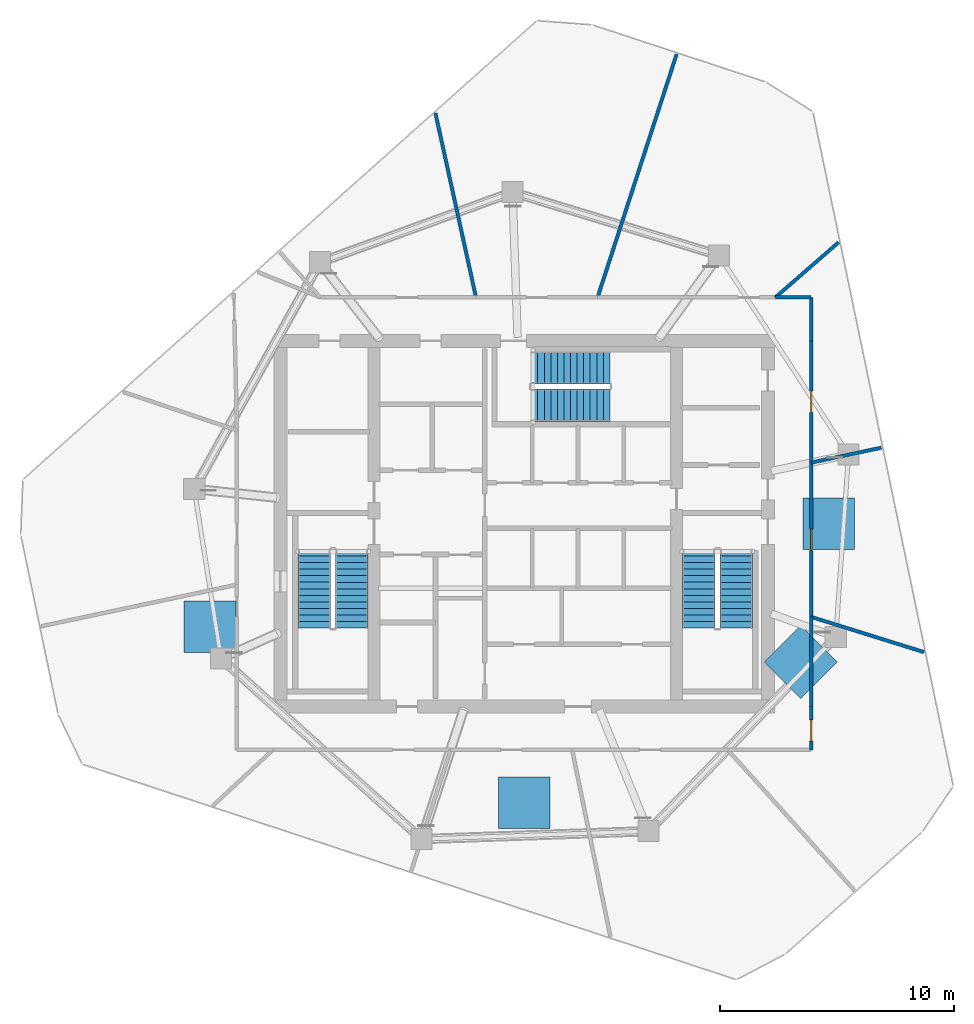
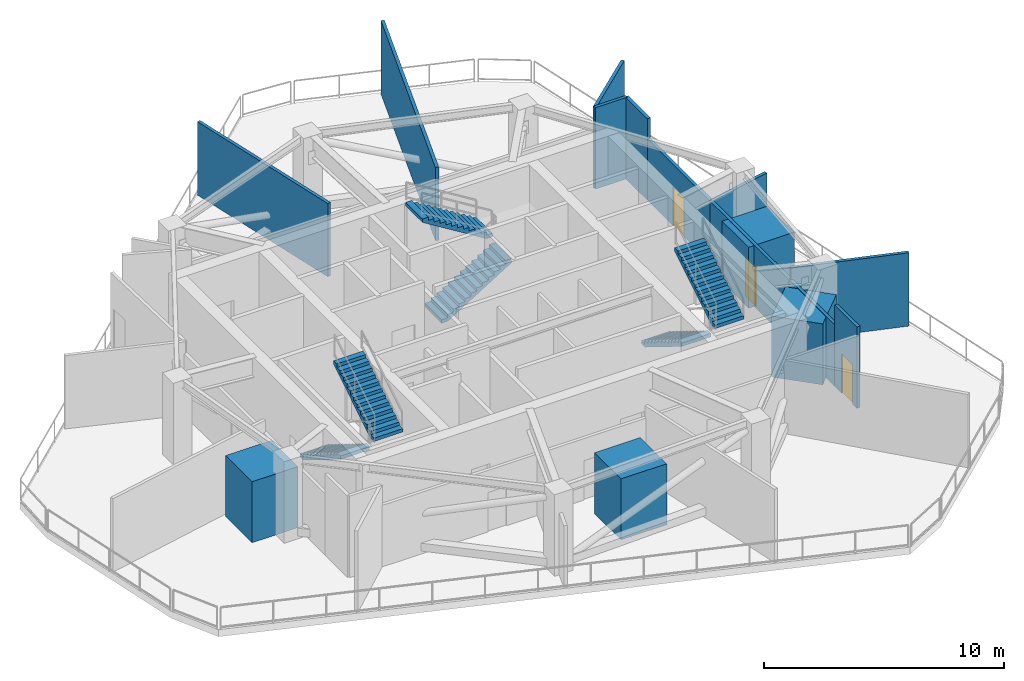
# One storey, part 4 of 6: 11 walls, 6 stair flights, 4 discrete accessories, 3 doors, 3 openings, 3 elements without a shape of their own.
"""IFC4 building model written with IfcOpenShell, lengths in metres."""

from ifc_helpers import new_model, si_unit, direction, frame, frame_2d, origin, origin_2d, place, context, subcontext, project, spatial, polyline, rectangle, outline, extrude, material, layer, layer_set, type_object, element, fill, aggregate, save


model = new_model("IFC4")

# Units and contexts
model_context = context("Model", 3, precision=1e-05, world=origin(), true_north=direction((0.0, 1.0)))
body_context = subcontext(model_context, "Body", "Model", "MODEL_VIEW")
ifc_project = project(units=[si_unit("LENGTHUNIT", "METRE"), si_unit("AREAUNIT", "SQUARE_METRE"), si_unit("VOLUMEUNIT", "CUBIC_METRE"), si_unit("PLANEANGLEUNIT", "RADIAN"), si_unit("MASSUNIT", "GRAM", prefix="KILO")], contexts=[model_context])

# Site, building, storey
site_placement = place(None, origin())
site = spatial("IfcSite", under=ifc_project, at=site_placement, CompositionType="ELEMENT")
building_placement = place(site_placement, origin())
building = spatial("IfcBuilding", under=site, at=building_placement, Name="Qarnah Convention Tower", CompositionType="ELEMENT")
storey_placement = place(building_placement, frame((0.0, 0.0, 223.800048828125)))
storey = spatial("IfcBuildingStorey", under=building, at=storey_placement, Name="L60", CompositionType="ELEMENT", Elevation=223.800048828125)

# Walls
ifc_material_1 = material(Name="Gypsum partition board")
ifc_layer = layer(ifc_material_1, 0.14990234375)
ifc_layer_set = layer_set([ifc_layer], Name="Gypsum partition board")
wall_type = type_object("IfcWallType", Name="WL-SUITE-150", PredefinedType="PARTITIONING", material=ifc_layer_set)
wall_1_placement = place(storey_placement, frame((43.7060546875, 46.423095703125, 0.0), z_axis=(0.0, 0.0, 1.0), x_axis=(-0.309073925146, -0.951038016483, 0.0)))
element("IfcWall", 1, at=wall_1_placement, inside=storey, type_object=wall_type, Name="L60 interior wall IW-L60-R-01", PredefinedType="PARTITIONING", context=body_context, shape_type="SweptSolid", body=[
    extrude(rectangle(XDim=10.906982421875, YDim=0.14990234375, at=frame_2d((5.45361328125, 0.0))), origin(), (0.0, 0.0, 1.0), 3.724853515625),
])
wall_2_placement = place(storey_placement, frame((47.9169921875, 36.050048828125, 0.0), z_axis=(0.0, 0.0, 1.0), x_axis=(0.754262235438, 0.656573286231, 0.0)))
element("IfcWall", 2, at=wall_2_placement, inside=storey, type_object=wall_type, Name="L60 interior wall IW-L60-R-03", PredefinedType="PARTITIONING", context=body_context, shape_type="SweptSolid", body=[
    extrude(rectangle(XDim=3.583740234375, YDim=0.14990234375, at=frame_2d((1.7919921875, 0.0))), origin(), (0.0, 0.0, 1.0), 4.139892578125),
])
wall_3_placement = place(storey_placement, frame((33.4169921875, 43.9150390625, 0.0), z_axis=(0.0, 0.0, 1.0), x_axis=(0.215055513046, -0.976601825878, 0.0)))
element("IfcWall", 3, at=wall_3_placement, inside=storey, type_object=wall_type, Name="L60 interior wall IW-L60-R-04", PredefinedType="PARTITIONING", context=body_context, shape_type="SweptSolid", body=[
    extrude(rectangle(XDim=8.053466796875, YDim=0.14990234375, at=frame_2d((4.02685546875, 0.0))), origin(), (0.0, 0.0, 1.0), 3.724853515625),
])
wall_4_placement = place(storey_placement, frame((54.260009765625, 20.9189453125, 0.0), z_axis=(0.0, 0.0, 1.0), x_axis=(-0.954602320973, 0.297883213346, 0.0)))
element("IfcWall", 4, at=wall_4_placement, inside=storey, type_object=wall_type, Name="L60 interior wall IW-L60-R-23", PredefinedType="PARTITIONING", context=body_context, shape_type="SweptSolid", body=[
    extrude(rectangle(XDim=5.038818359375, YDim=0.14990234375, at=frame_2d((2.51953125, 0.0))), origin(), (0.0, 0.0, 1.0), 3.724853515625),
])
wall_5_placement = place(storey_placement, frame((49.449951171875, 22.419921875, 0.0), z_axis=(0.0, 0.0, 1.0), x_axis=(0.0, -1.0, 0.0)))
element("IfcWall", 5, at=wall_5_placement, inside=storey, type_object=wall_type, Name="L60 interior wall IW-L60-R-24", PredefinedType="PARTITIONING", context=body_context, shape_type="SweptSolid", body=[
    extrude(rectangle(XDim=3.81982421875, YDim=0.14990234375, at=frame_2d((1.909912109375, 0.0))), origin(), (0.0, 0.0, 1.0), 3.125),
])

# Wall, opening, door
wall_6_placement = place(storey_placement, frame((49.449951171875, 18.60009765625, 0.0), z_axis=(0.0, 0.0, 1.0), x_axis=(0.0, -1.0, 0.0)))
wall_6 = element("IfcWall", 6, at=wall_6_placement, inside=storey, type_object=wall_type, Name="L60 interior wall IW-L60-R-25", PredefinedType="PARTITIONING", context=body_context, shape_type="SweptSolid", body=[
    extrude(rectangle(XDim=1.85009765625, YDim=0.14990234375, at=frame_2d((0.925048828125, 0.0))), origin(), (0.0, 0.0, 1.0), 4.139892578125),
])
opening_1_placement = place(wall_6_placement, frame((0.575927734375, 0.0, 0.0)))
opening_1 = element("IfcOpeningElement", 7, at=opening_1_placement, cuts=wall_6, Name="Opening D-6027", PredefinedType="OPENING", context=body_context, shape_type="SweptSolid", body=[
    extrude(rectangle(XDim=0.89990234375, YDim=2.0, at=frame_2d((0.449951171875, 1.0))), frame((0.0, 0.0849609375, 0.0), z_axis=(0.0, -1.0, 0.0), x_axis=(1.0, 0.0, 0.0)), (0.0, 0.0, 1.0), 0.169921875),
])
ifc_material_2 = material(Name="Structural steel S355JR", Category="steel")
door_type = type_object("IfcDoorType", Name="DT-PLANT-900", OperationType="NOTDEFINED", PredefinedType="DOOR", material=ifc_material_2)
door_1_placement = place(opening_1_placement, origin())
door_1 = element("IfcDoor", 8, at=door_1_placement, inside=storey, type_object=door_type, Name="Door D-6027", OperationType="SINGLE_SWING_LEFT", OverallHeight=2.0, OverallWidth=0.89990234375, PredefinedType="DOOR", context=body_context, shape_type="SweptSolid", body=[
    extrude(rectangle(XDim=0.89990234375, YDim=2.0, at=frame_2d((0.449951171875, 1.0))), frame((0.0, 0.02490234375, 0.0), z_axis=(0.0, -1.0, 0.0), x_axis=(1.0, 0.0, 0.0)), (0.0, 0.0, 1.0), 0.050048828125),
])
fill(opening_1, door_1)

# Wall
wall_7_placement = place(storey_placement, frame((52.43408203125, 29.637939453125, 0.0), z_axis=(0.0, 0.0, 1.0), x_axis=(-0.978165155449, -0.207829085225, 0.0)))
element("IfcWall", 9, at=wall_7_placement, inside=storey, type_object=wall_type, Name="L60 interior wall IW-L60-R-27", PredefinedType="PARTITIONING", context=body_context, shape_type="SweptSolid", body=[
    extrude(rectangle(XDim=3.05078125, YDim=0.14990234375, at=frame_2d((1.525390625, 0.0))), origin(), (0.0, 0.0, 1.0), 3.125),
])

# Wall, opening, door
wall_8_placement = place(storey_placement, frame((49.449951171875, 29.00390625, 0.0), z_axis=(0.0, 0.0, 1.0), x_axis=(0.0, -1.0, 0.0)))
wall_8 = element("IfcWall", 10, at=wall_8_placement, inside=storey, type_object=wall_type, Name="L60 interior wall IW-L60-R-28", PredefinedType="PARTITIONING", context=body_context, shape_type="SweptSolid", body=[
    extrude(rectangle(XDim=6.583984375, YDim=0.14990234375, at=frame_2d((3.2919921875, 0.0))), origin(), (0.0, 0.0, 1.0), 3.125),
])
opening_2_placement = place(wall_8_placement, frame((2.842041015625, 0.0, 0.0)))
opening_2 = element("IfcOpeningElement", 11, at=opening_2_placement, cuts=wall_8, Name="Opening D-6028", PredefinedType="OPENING", context=body_context, shape_type="SweptSolid", body=[
    extrude(rectangle(XDim=0.89990234375, YDim=2.0, at=frame_2d((0.449951171875, 1.0))), frame((0.0, 0.0849609375, 0.0), z_axis=(0.0, -1.0, 0.0), x_axis=(1.0, 0.0, 0.0)), (0.0, 0.0, 1.0), 0.169921875),
])
door_2_placement = place(opening_2_placement, origin())
door_2 = element("IfcDoor", 12, at=door_2_placement, inside=storey, type_object=door_type, Name="Door D-6028", OperationType="SINGLE_SWING_RIGHT", OverallHeight=2.0, OverallWidth=0.89990234375, PredefinedType="DOOR", context=body_context, shape_type="SweptSolid", body=[
    extrude(rectangle(XDim=0.89990234375, YDim=2.0, at=frame_2d((0.449951171875, 1.0))), frame((0.0, 0.02490234375, 0.0), z_axis=(0.0, -1.0, 0.0), x_axis=(1.0, 0.0, 0.0)), (0.0, 0.0, 1.0), 0.050048828125),
])
fill(opening_2, door_2)

# Walls
wall_9_placement = place(storey_placement, frame((47.9169921875, 36.050048828125, 0.0), z_axis=(0.0, 0.0, 1.0), x_axis=(1.0, 0.0, 0.0)))
element("IfcWall", 13, at=wall_9_placement, inside=storey, type_object=wall_type, Name="L60 interior wall IW-L60-R-29", PredefinedType="PARTITIONING", context=body_context, shape_type="SweptSolid", body=[
    extrude(rectangle(XDim=1.532958984375, YDim=0.14990234375, at=frame_2d((0.7666015625, 0.0))), origin(), (0.0, 0.0, 1.0), 4.139892578125),
])
wall_10_placement = place(storey_placement, frame((49.449951171875, 36.050048828125, 0.0), z_axis=(0.0, 0.0, 1.0), x_axis=(0.0, -1.0, 0.0)))
element("IfcWall", 14, at=wall_10_placement, inside=storey, type_object=wall_type, Name="L60 interior wall IW-L60-R-30", PredefinedType="PARTITIONING", context=body_context, shape_type="SweptSolid", body=[
    extrude(rectangle(XDim=1.85009765625, YDim=0.14990234375, at=frame_2d((0.925048828125, 0.0))), origin(), (0.0, 0.0, 1.0), 4.139892578125),
])

# Wall, opening, door
wall_11_placement = place(storey_placement, frame((49.449951171875, 34.199951171875, 0.0), z_axis=(0.0, 0.0, 1.0), x_axis=(0.0, -1.0, 0.0)))
wall_11 = element("IfcWall", 15, at=wall_11_placement, inside=storey, type_object=wall_type, Name="L60 interior wall IW-L60-R-31", PredefinedType="PARTITIONING", context=body_context, shape_type="SweptSolid", body=[
    extrude(rectangle(XDim=5.196044921875, YDim=0.14990234375, at=frame_2d((2.59814453125, 0.0))), origin(), (0.0, 0.0, 1.0), 3.125),
])
opening_3_placement = place(wall_11_placement, frame((2.14794921875, 0.0, 0.0)))
opening_3 = element("IfcOpeningElement", 16, at=opening_3_placement, cuts=wall_11, Name="Opening D-6029", PredefinedType="OPENING", context=body_context, shape_type="SweptSolid", body=[
    extrude(rectangle(XDim=0.89990234375, YDim=2.0, at=frame_2d((0.449951171875, 1.0))), frame((0.0, 0.0849609375, 0.0), z_axis=(0.0, -1.0, 0.0), x_axis=(1.0, 0.0, 0.0)), (0.0, 0.0, 1.0), 0.169921875),
])
door_3_placement = place(opening_3_placement, origin())
door_3 = element("IfcDoor", 17, at=door_3_placement, inside=storey, type_object=door_type, Name="Door D-6029", OperationType="SINGLE_SWING_LEFT", OverallHeight=2.0, OverallWidth=0.89990234375, PredefinedType="DOOR", context=body_context, shape_type="SweptSolid", body=[
    extrude(rectangle(XDim=0.89990234375, YDim=2.0, at=frame_2d((0.449951171875, 1.0))), frame((0.0, 0.02490234375, 0.0), z_axis=(0.0, -1.0, 0.0), x_axis=(1.0, 0.0, 0.0)), (0.0, 0.0, 1.0), 0.050048828125),
])
fill(opening_3, door_3)

# Stair, stair flights
ifc_material_3 = material(Name="Concrete C50/60", Category="concrete")
stair_type = type_object("IfcStairType", Name="STR-PLT", PredefinedType="HALF_TURN_STAIR", material=ifc_material_3)
stair_1_placement = place(storey_placement, origin())
stair_1 = element("IfcStair", 18, at=stair_1_placement, inside=storey, type_object=stair_type, Name="L60 Core exit stair ST-1", PredefinedType="HALF_TURN_STAIR")
stair_flight_type = type_object("IfcStairFlightType", Name="FLT-PLT", PredefinedType="STRAIGHT", material=ifc_material_3)
stair_flight_1_placement = place(storey_placement, frame((28.25, 25.300048828125, 0.0), z_axis=(0.0, 0.0, 1.0), x_axis=(0.0, -1.0, 0.0)))
stair_flight_1 = element("IfcStairFlight", 19, at=stair_flight_1_placement, type_object=stair_flight_type, Name="ST-1 flight 1", NumberOfRisers=13, NumberOfTreads=12, PredefinedType="STRAIGHT", RiserHeight=0.173076923, TreadLength=0.28, context=body_context, shape_type="SweptSolid", body=[
    extrude(outline(polyline([(0.0, 0.0), (0.0, 0.173095703125), (0.280029296875, 0.173095703125), (0.280029296875, 0.34619140625), (0.56005859375, 0.34619140625), (0.56005859375, 0.519287109375), (0.840087890625, 0.519287109375), (0.840087890625, 0.6923828125), (1.1201171875, 0.6923828125), (1.1201171875, 0.865478515625), (1.39990234375, 0.865478515625), (1.39990234375, 1.03857421875), (1.679931640625, 1.03857421875), (1.679931640625, 1.21142578125), (1.9599609375, 1.21142578125), (1.9599609375, 1.384521484375), (2.239990234375, 1.384521484375), (2.239990234375, 1.5576171875), (2.52001953125, 1.5576171875), (2.52001953125, 1.730712890625), (2.800048828125, 1.730712890625), (2.800048828125, 1.90380859375), (3.080078125, 1.90380859375), (3.080078125, 2.076904296875), (3.360107421875, 2.076904296875), (3.360107421875, 2.25), (3.360107421875, 1.900634765625), (0.28515625, 0.0), (0.0, 0.0)])), frame((0.0, 0.699951171875, 0.0), z_axis=(0.0, -1.0, 0.0), x_axis=(1.0, 0.0, 0.0)), (0.0, 0.0, 1.0), 1.39990234375),
])
stair_flight_2_placement = place(storey_placement, frame((29.85009765625, 21.93994140625, 2.25), z_axis=(0.0, 0.0, 1.0), x_axis=(0.0, 1.0, 0.0)))
stair_flight_2 = element("IfcStairFlight", 20, at=stair_flight_2_placement, type_object=stair_flight_type, Name="ST-1 flight 2", NumberOfRisers=13, NumberOfTreads=12, PredefinedType="STRAIGHT", RiserHeight=0.173076923, TreadLength=0.28, context=body_context, shape_type="SweptSolid", body=[
    extrude(outline(polyline([(0.0, 0.0), (0.0, 0.173095703125), (0.280029296875, 0.173095703125), (0.280029296875, 0.34619140625), (0.56005859375, 0.34619140625), (0.56005859375, 0.519287109375), (0.840087890625, 0.519287109375), (0.840087890625, 0.6923828125), (1.1201171875, 0.6923828125), (1.1201171875, 0.865478515625), (1.39990234375, 0.865478515625), (1.39990234375, 1.03857421875), (1.679931640625, 1.03857421875), (1.679931640625, 1.21142578125), (1.9599609375, 1.21142578125), (1.9599609375, 1.384521484375), (2.239990234375, 1.384521484375), (2.239990234375, 1.5576171875), (2.52001953125, 1.5576171875), (2.52001953125, 1.730712890625), (2.800048828125, 1.730712890625), (2.800048828125, 1.90380859375), (3.080078125, 1.90380859375), (3.080078125, 2.076904296875), (3.360107421875, 2.076904296875), (3.360107421875, 2.25), (3.360107421875, 1.900634765625), (0.28515625, 0.0), (0.0, 0.0)])), frame((0.0, 0.699951171875, 0.0), z_axis=(0.0, -1.0, 0.0), x_axis=(1.0, 0.0, 0.0)), (0.0, 0.0, 1.0), 1.39990234375),
])
aggregate(stair_1, [stair_flight_1, stair_flight_2])

stair_2_placement = place(storey_placement, origin())
stair_2 = element("IfcStair", 21, at=stair_2_placement, inside=storey, type_object=stair_type, Name="L60 Core exit stair ST-2", PredefinedType="HALF_TURN_STAIR")
stair_flight_3_placement = place(storey_placement, frame((44.64990234375, 25.300048828125, 0.0), z_axis=(0.0, 0.0, 1.0), x_axis=(0.0, -1.0, 0.0)))
stair_flight_3 = element("IfcStairFlight", 22, at=stair_flight_3_placement, type_object=stair_flight_type, Name="ST-2 flight 1", NumberOfRisers=13, NumberOfTreads=12, PredefinedType="STRAIGHT", RiserHeight=0.173076923, TreadLength=0.28, context=body_context, shape_type="SweptSolid", body=[
    extrude(outline(polyline([(0.0, 0.0), (0.0, 0.173095703125), (0.280029296875, 0.173095703125), (0.280029296875, 0.34619140625), (0.56005859375, 0.34619140625), (0.56005859375, 0.519287109375), (0.840087890625, 0.519287109375), (0.840087890625, 0.6923828125), (1.1201171875, 0.6923828125), (1.1201171875, 0.865478515625), (1.39990234375, 0.865478515625), (1.39990234375, 1.03857421875), (1.679931640625, 1.03857421875), (1.679931640625, 1.21142578125), (1.9599609375, 1.21142578125), (1.9599609375, 1.384521484375), (2.239990234375, 1.384521484375), (2.239990234375, 1.5576171875), (2.52001953125, 1.5576171875), (2.52001953125, 1.730712890625), (2.800048828125, 1.730712890625), (2.800048828125, 1.90380859375), (3.080078125, 1.90380859375), (3.080078125, 2.076904296875), (3.360107421875, 2.076904296875), (3.360107421875, 2.25), (3.360107421875, 1.900634765625), (0.28515625, 0.0), (0.0, 0.0)])), frame((0.0, 0.699951171875, 0.0), z_axis=(0.0, -1.0, 0.0), x_axis=(1.0, 0.0, 0.0)), (0.0, 0.0, 1.0), 1.39990234375),
])
stair_flight_4_placement = place(storey_placement, frame((46.25, 21.93994140625, 2.25), z_axis=(0.0, 0.0, 1.0), x_axis=(0.0, 1.0, 0.0)))
stair_flight_4 = element("IfcStairFlight", 23, at=stair_flight_4_placement, type_object=stair_flight_type, Name="ST-2 flight 2", NumberOfRisers=13, NumberOfTreads=12, PredefinedType="STRAIGHT", RiserHeight=0.173076923, TreadLength=0.28, context=body_context, shape_type="SweptSolid", body=[
    extrude(outline(polyline([(0.0, 0.0), (0.0, 0.173095703125), (0.280029296875, 0.173095703125), (0.280029296875, 0.34619140625), (0.56005859375, 0.34619140625), (0.56005859375, 0.519287109375), (0.840087890625, 0.519287109375), (0.840087890625, 0.6923828125), (1.1201171875, 0.6923828125), (1.1201171875, 0.865478515625), (1.39990234375, 0.865478515625), (1.39990234375, 1.03857421875), (1.679931640625, 1.03857421875), (1.679931640625, 1.21142578125), (1.9599609375, 1.21142578125), (1.9599609375, 1.384521484375), (2.239990234375, 1.384521484375), (2.239990234375, 1.5576171875), (2.52001953125, 1.5576171875), (2.52001953125, 1.730712890625), (2.800048828125, 1.730712890625), (2.800048828125, 1.90380859375), (3.080078125, 1.90380859375), (3.080078125, 2.076904296875), (3.360107421875, 2.076904296875), (3.360107421875, 2.25), (3.360107421875, 1.900634765625), (0.28515625, 0.0), (0.0, 0.0)])), frame((0.0, 0.699951171875, 0.0), z_axis=(0.0, -1.0, 0.0), x_axis=(1.0, 0.0, 0.0)), (0.0, 0.0, 1.0), 1.39990234375),
])
aggregate(stair_2, [stair_flight_3, stair_flight_4])

stair_3_placement = place(storey_placement, origin())
stair_3 = element("IfcStair", 24, at=stair_3_placement, inside=storey, type_object=stair_type, Name="L60 Core exit stair ST-3", PredefinedType="HALF_TURN_STAIR")
stair_flight_5_placement = place(storey_placement, frame((37.5, 31.449951171875, 0.0), z_axis=(0.0, 0.0, 1.0), x_axis=(1.0, 0.0, 0.0)))
stair_flight_5 = element("IfcStairFlight", 25, at=stair_flight_5_placement, type_object=stair_flight_type, Name="ST-3 flight 1", NumberOfRisers=13, NumberOfTreads=12, PredefinedType="STRAIGHT", RiserHeight=0.173076923, TreadLength=0.28, context=body_context, shape_type="SweptSolid", body=[
    extrude(outline(polyline([(0.0, 0.0), (0.0, 0.173095703125), (0.280029296875, 0.173095703125), (0.280029296875, 0.34619140625), (0.56005859375, 0.34619140625), (0.56005859375, 0.519287109375), (0.840087890625, 0.519287109375), (0.840087890625, 0.6923828125), (1.1201171875, 0.6923828125), (1.1201171875, 0.865478515625), (1.39990234375, 0.865478515625), (1.39990234375, 1.03857421875), (1.679931640625, 1.03857421875), (1.679931640625, 1.21142578125), (1.9599609375, 1.21142578125), (1.9599609375, 1.384521484375), (2.239990234375, 1.384521484375), (2.239990234375, 1.5576171875), (2.52001953125, 1.5576171875), (2.52001953125, 1.730712890625), (2.800048828125, 1.730712890625), (2.800048828125, 1.90380859375), (3.080078125, 1.90380859375), (3.080078125, 2.076904296875), (3.360107421875, 2.076904296875), (3.360107421875, 2.25), (3.360107421875, 1.900634765625), (0.28515625, 0.0), (0.0, 0.0)])), frame((0.0, 0.699951171875, 0.0), z_axis=(0.0, -1.0, 0.0), x_axis=(1.0, 0.0, 0.0)), (0.0, 0.0, 1.0), 1.39990234375),
])
stair_flight_6_placement = place(storey_placement, frame((40.860107421875, 33.050048828125, 2.25), z_axis=(0.0, 0.0, 1.0), x_axis=(-1.0, 0.0, 0.0)))
stair_flight_6 = element("IfcStairFlight", 26, at=stair_flight_6_placement, type_object=stair_flight_type, Name="ST-3 flight 2", NumberOfRisers=13, NumberOfTreads=12, PredefinedType="STRAIGHT", RiserHeight=0.173076923, TreadLength=0.28, context=body_context, shape_type="SweptSolid", body=[
    extrude(outline(polyline([(0.0, 0.0), (0.0, 0.173095703125), (0.280029296875, 0.173095703125), (0.280029296875, 0.34619140625), (0.56005859375, 0.34619140625), (0.56005859375, 0.519287109375), (0.840087890625, 0.519287109375), (0.840087890625, 0.6923828125), (1.1201171875, 0.6923828125), (1.1201171875, 0.865478515625), (1.39990234375, 0.865478515625), (1.39990234375, 1.03857421875), (1.679931640625, 1.03857421875), (1.679931640625, 1.21142578125), (1.9599609375, 1.21142578125), (1.9599609375, 1.384521484375), (2.239990234375, 1.384521484375), (2.239990234375, 1.5576171875), (2.52001953125, 1.5576171875), (2.52001953125, 1.730712890625), (2.800048828125, 1.730712890625), (2.800048828125, 1.90380859375), (3.080078125, 1.90380859375), (3.080078125, 2.076904296875), (3.360107421875, 2.076904296875), (3.360107421875, 2.25), (3.360107421875, 1.900634765625), (0.28515625, 0.0), (0.0, 0.0)])), frame((0.0, 0.699951171875, 0.0), z_axis=(0.0, -1.0, 0.0), x_axis=(1.0, 0.0, 0.0)), (0.0, 0.0, 1.0), 1.39990234375),
])
aggregate(stair_3, [stair_flight_5, stair_flight_6])

# Discrete accessories
ifc_material_4 = material(Name="Black anodised aluminium", Category="aluminium")
discrete_accessory_type = type_object("IfcDiscreteAccessoryType", Name="ACC-TURBINE-SHROUD", PredefinedType="USERDEFINED", material=ifc_material_4)
for number, where, z_axis, x_axis, name in (
    (27, (50.199951171875, 26.39990234375, 0.0), (0.0, 0.0, 1.0), (1.0, 0.0, 0.0), "L60 Venturi shrouded vertical-axis wind turbine 1"),
    (28, (37.199951171875, 14.5, 0.0), (0.0, 0.0, 1.0), (0.0, -1.0, 0.0), "L60 Venturi shrouded vertical-axis wind turbine 2"),
    (29, (23.800048828125, 22.0, 0.0), (0.0, 0.0, 1.0), (-1.0, 0.0, 0.0), "L60 Venturi shrouded vertical-axis wind turbine 3"),
    (30, (49.0, 20.5, 0.0), (0.0, 0.0, 1.0), (0.707106781187, -0.707106781187, 0.0), "L60 Venturi shrouded vertical-axis wind turbine 4"),
):
    element("IfcDiscreteAccessory", number, at=place(storey_placement, frame(where, z_axis=z_axis, x_axis=x_axis)), inside=storey, type_object=discrete_accessory_type, Name=name, ObjectType="WIND_TURBINE", PredefinedType="USERDEFINED", context=body_context, shape_type="SweptSolid", body=[
        extrude(rectangle(XDim=2.199951171875, YDim=2.199951171875, at=origin_2d()), origin(), (0.0, 0.0, 1.0), 3.10009765625),
    ])

save(model, "model.ifc")
